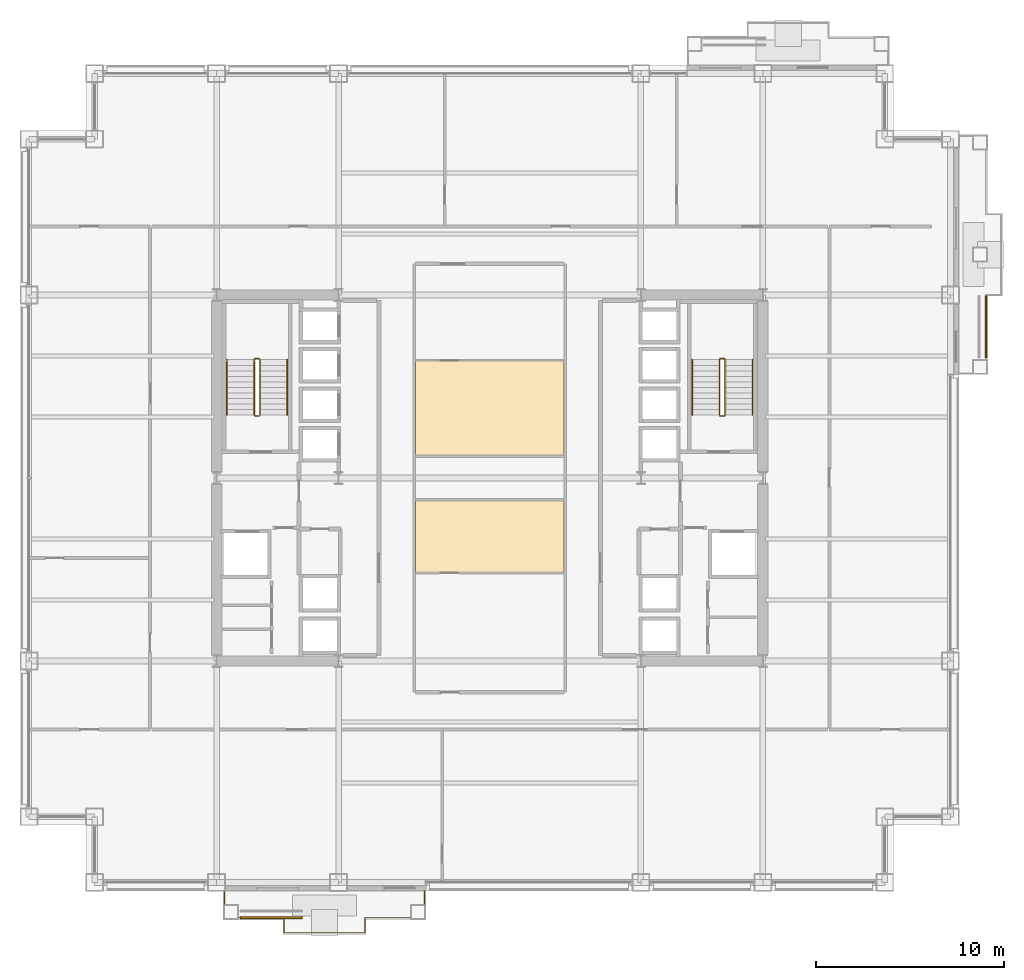
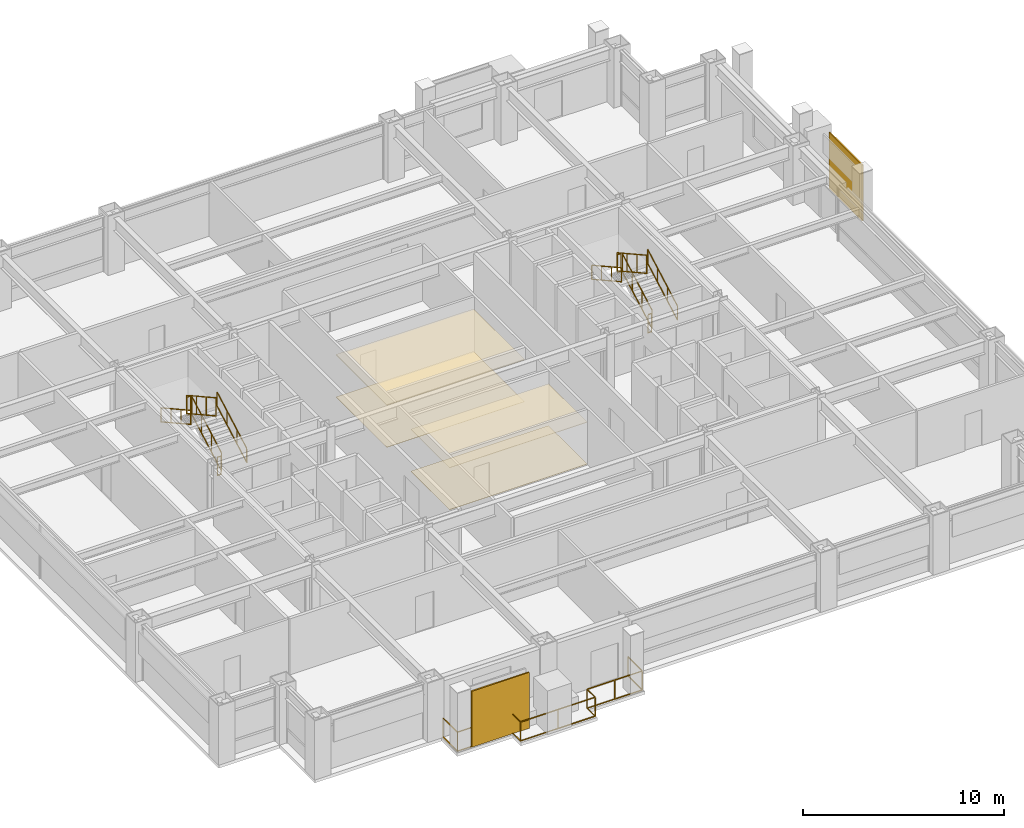
# One storey, part 29 of 31: 13 railings, 4 coverings, 2 shading devices.
"""IFC4 building model written with IfcOpenShell, lengths in metres."""

from ifc_helpers import new_model, si_unit, direction, frame, origin, origin_2d, place, context, subcontext, project, spatial, polyline, rectangle, outline, extrude, material, layer, layer_set, type_object, element, save


model = new_model("IFC4")

# Units and contexts
model_context = context("Model", 3, precision=1e-05, world=origin(), true_north=direction((0.0, 1.0)))
body_context = subcontext(model_context, "Body", "Model", "MODEL_VIEW")
ifc_project = project(units=[si_unit("LENGTHUNIT", "METRE"), si_unit("AREAUNIT", "SQUARE_METRE"), si_unit("VOLUMEUNIT", "CUBIC_METRE"), si_unit("PLANEANGLEUNIT", "RADIAN"), si_unit("MASSUNIT", "GRAM", prefix="KILO")], contexts=[model_context])

# Site, building, storey
site_placement = place(None, origin())
site = spatial("IfcSite", under=ifc_project, at=site_placement, CompositionType="ELEMENT")
building_placement = place(site_placement, origin())
building = spatial("IfcBuilding", under=site, at=building_placement, Name="Brelmoor Portico Tower", CompositionType="ELEMENT")
storey_placement = place(building_placement, frame((0.0, 0.0, 42.0)))
storey = spatial("IfcBuildingStorey", under=building, at=storey_placement, Name="L10", CompositionType="ELEMENT", Elevation=42.0)

# Coverings
ifc_material_1 = material(Name="Perforated Mineral-Fibre Acoustic Ceiling Tile", Category="gypsum")
ifc_layer_1 = layer(ifc_material_1, 0.02490234375)
ifc_layer_set_1 = layer_set([ifc_layer_1], Name="Perforated Mineral-Fibre Acoustic Ceiling Tile")
covering_type_1 = type_object("IfcCoveringType", Name="CV-CEIL-GYPSUM-25", PredefinedType="CEILING", material=ifc_layer_set_1)
covering_1_placement = place(storey_placement, frame((0.0, 0.0, 2.550048828125)))
element("IfcCovering", 1, at=covering_1_placement, inside=storey, type_object=covering_type_1, Name="L10 Acoustic Suspended Ceiling 02", PredefinedType="CEILING", context=body_context, shape_type="SweptSolid", body=[
    extrude(outline(polyline([(-3.9599609375, -5.06005859375), (-3.9599609375, -1.199951171875), (3.9599609375, -1.199951171875), (3.9599609375, -5.06005859375), (-3.9599609375, -5.06005859375)])), origin(), (0.0, 0.0, 1.0), 0.02490234375),
])
ifc_material_2 = material(Name="Slatted FSC Oak Acoustic Feature Ceiling", Category="timber")
ifc_layer_2 = layer(ifc_material_2, 0.052001953125)
ifc_layer_set_2 = layer_set([ifc_layer_2], Name="Slatted FSC Oak Acoustic Feature Ceiling")
covering_type_2 = type_object("IfcCoveringType", Name="CV-CEIL-TIMBER-52", PredefinedType="CEILING", material=ifc_layer_set_2)
covering_2_placement = place(storey_placement, frame((0.0, 0.0, 2.550048828125)))
element("IfcCovering", 2, at=covering_2_placement, inside=storey, type_object=covering_type_2, Name="L10 Acoustic Suspended Ceiling 01", PredefinedType="CEILING", context=body_context, shape_type="SweptSolid", body=[
    extrude(outline(polyline([(-3.9599609375, 1.199951171875), (-3.9599609375, 6.260009765625), (3.9599609375, 6.260009765625), (3.9599609375, 1.199951171875), (-3.9599609375, 1.199951171875)])), origin(), (0.0, 0.0, 1.0), 0.052001953125),
])
ifc_material_3 = material(Name="Rectified Vitrified Porcelain Floor Tile", Category="ceramic")
ifc_layer_3 = layer(ifc_material_3, 0.01806640625)
ifc_layer_set_3 = layer_set([ifc_layer_3], Name="Rectified Vitrified Porcelain Floor Tile")
covering_type_3 = type_object("IfcCoveringType", Name="CV-FLR-PORCELAIN-18", PredefinedType="FLOORING", material=ifc_layer_set_3)
covering_3_placement = place(storey_placement, origin())
element("IfcCovering", 3, at=covering_3_placement, inside=storey, type_object=covering_type_3, Name="L10 Architectural Floor Finish 01", PredefinedType="FLOORING", context=body_context, shape_type="SweptSolid", body=[
    extrude(outline(polyline([(-3.9599609375, 1.199951171875), (-3.9599609375, 6.260009765625), (3.9599609375, 6.260009765625), (3.9599609375, 1.199951171875), (-3.9599609375, 1.199951171875)])), origin(), (0.0, 0.0, 1.0), 0.01806640625),
])
ifc_material_4 = material(Name="Engineered Quarter-Sawn Oak Parquet Flooring", Category="timber")
ifc_layer_4 = layer(ifc_material_4, 0.02197265625)
ifc_layer_set_4 = layer_set([ifc_layer_4], Name="Engineered Quarter-Sawn Oak Parquet Flooring")
covering_type_4 = type_object("IfcCoveringType", Name="CV-FLR-TIMBER-22", PredefinedType="FLOORING", material=ifc_layer_set_4)
covering_4_placement = place(storey_placement, origin())
element("IfcCovering", 4, at=covering_4_placement, inside=storey, type_object=covering_type_4, Name="L10 Architectural Floor Finish 02", PredefinedType="FLOORING", context=body_context, shape_type="SweptSolid", body=[
    extrude(outline(polyline([(-3.9599609375, -5.06005859375), (-3.9599609375, -1.199951171875), (3.9599609375, -1.199951171875), (3.9599609375, -5.06005859375), (-3.9599609375, -5.06005859375)])), origin(), (0.0, 0.0, 1.0), 0.02197265625),
])

# Railings
ifc_material_5 = material(Name="Perforated Pale Champagne Aluminium Fretwork Guard", Category="aluminium")
railing_type_1 = type_object("IfcRailingType", Name="RL-BALUSTRADE-1200", PredefinedType="BALUSTRADE", material=ifc_material_5)
railing_1_placement = place(storey_placement, frame((-14.1201171875, -22.0, 0.0)))
element("IfcRailing", 5, at=railing_1_placement, inside=storey, type_object=railing_type_1, Name="L10 Tree Balcony Fretwork Balustrade S", PredefinedType="BALUSTRADE", context=body_context, shape_type="SweptSolid", body=[
    extrude(rectangle(XDim=0.048095703125, YDim=0.048095703125, at=origin_2d()), frame((0.0, 0.0, 1.17578125), z_axis=(0.0, -1.0, 0.0), x_axis=(1.0, 0.0, 0.0)), (0.0, 0.0, 1.0), 1.429931640625),
    extrude(rectangle(XDim=0.048095703125, YDim=0.048095703125, at=origin_2d()), frame((0.0, 0.0, 0.02392578125), z_axis=(0.0, -1.0, 0.0), x_axis=(1.0, 0.0, 0.0)), (0.0, 0.0, 1.0), 1.429931640625),
    extrude(rectangle(XDim=0.048095703125, YDim=0.048095703125, at=origin_2d()), frame((0.0, -1.429931640625, 1.17578125), z_axis=(1.0, 0.0, 0.0), x_axis=(0.0, 1.0, 0.0)), (0.0, 0.0, 1.0), 3.170166015625),
    extrude(rectangle(XDim=0.048095703125, YDim=0.048095703125, at=origin_2d()), frame((0.0, -1.429931640625, 0.02392578125), z_axis=(1.0, 0.0, 0.0), x_axis=(0.0, 1.0, 0.0)), (0.0, 0.0, 1.0), 3.170166015625),
    extrude(rectangle(XDim=0.048095703125, YDim=0.048095703125, at=origin_2d()), frame((3.170166015625, -1.429931640625, 1.17578125), z_axis=(0.0, -1.0, 0.0), x_axis=(1.0, 0.0, 0.0)), (0.0, 0.0, 1.0), 0.800048828125),
    extrude(rectangle(XDim=0.048095703125, YDim=0.048095703125, at=origin_2d()), frame((3.170166015625, -1.429931640625, 0.02392578125), z_axis=(0.0, -1.0, 0.0), x_axis=(1.0, 0.0, 0.0)), (0.0, 0.0, 1.0), 0.800048828125),
    extrude(rectangle(XDim=0.048095703125, YDim=0.048095703125, at=origin_2d()), frame((3.170166015625, -2.22998046875, 1.17578125), z_axis=(1.0, 0.0, 0.0), x_axis=(0.0, 1.0, 0.0)), (0.0, 0.0, 1.0), 4.300048828125),
    extrude(rectangle(XDim=0.048095703125, YDim=0.048095703125, at=origin_2d()), frame((3.170166015625, -2.22998046875, 0.02392578125), z_axis=(1.0, 0.0, 0.0), x_axis=(0.0, 1.0, 0.0)), (0.0, 0.0, 1.0), 4.300048828125),
    extrude(rectangle(XDim=0.048095703125, YDim=0.048095703125, at=origin_2d()), frame((7.47021484375, -2.22998046875, 1.17578125), z_axis=(0.0, 1.0, 0.0), x_axis=(-1.0, 0.0, 0.0)), (0.0, 0.0, 1.0), 0.800048828125),
    extrude(rectangle(XDim=0.048095703125, YDim=0.048095703125, at=origin_2d()), frame((7.47021484375, -2.22998046875, 0.02392578125), z_axis=(0.0, 1.0, 0.0), x_axis=(-1.0, 0.0, 0.0)), (0.0, 0.0, 1.0), 0.800048828125),
    extrude(rectangle(XDim=0.048095703125, YDim=0.048095703125, at=origin_2d()), frame((7.47021484375, -1.429931640625, 1.17578125), z_axis=(1.0, 0.0, 0.0), x_axis=(0.0, 1.0, 0.0)), (0.0, 0.0, 1.0), 3.169921875),
    extrude(rectangle(XDim=0.048095703125, YDim=0.048095703125, at=origin_2d()), frame((7.47021484375, -1.429931640625, 0.02392578125), z_axis=(1.0, 0.0, 0.0), x_axis=(0.0, 1.0, 0.0)), (0.0, 0.0, 1.0), 3.169921875),
    extrude(rectangle(XDim=0.048095703125, YDim=0.048095703125, at=origin_2d()), frame((10.64013671875, -1.429931640625, 1.17578125), z_axis=(0.0, 1.0, 0.0), x_axis=(-1.0, 0.0, 0.0)), (0.0, 0.0, 1.0), 1.429931640625),
    extrude(rectangle(XDim=0.048095703125, YDim=0.048095703125, at=origin_2d()), frame((10.64013671875, -1.429931640625, 0.02392578125), z_axis=(0.0, 1.0, 0.0), x_axis=(-1.0, 0.0, 0.0)), (0.0, 0.0, 1.0), 1.429931640625),
    extrude(rectangle(XDim=0.0419921875, YDim=0.0419921875, at=origin_2d()), origin(), (0.0, 0.0, 1.0), 1.15185546875),
    extrude(rectangle(XDim=0.0419921875, YDim=0.0419921875, at=origin_2d()), frame((0.0, -1.429931640625, 0.0)), (0.0, 0.0, 1.0), 1.15185546875),
    extrude(rectangle(XDim=0.0419921875, YDim=0.0419921875, at=origin_2d()), frame((1.5849609375, -1.429931640625, 0.0)), (0.0, 0.0, 1.0), 1.15185546875),
    extrude(rectangle(XDim=0.0419921875, YDim=0.0419921875, at=origin_2d()), frame((3.170166015625, -1.429931640625, 0.0)), (0.0, 0.0, 1.0), 1.15185546875),
    extrude(rectangle(XDim=0.0419921875, YDim=0.0419921875, at=origin_2d()), frame((3.170166015625, -2.22998046875, 0.0)), (0.0, 0.0, 1.0), 1.15185546875),
    extrude(rectangle(XDim=0.0419921875, YDim=0.0419921875, at=origin_2d()), frame((5.3203125, -2.22998046875, 0.0)), (0.0, 0.0, 1.0), 1.15185546875),
    extrude(rectangle(XDim=0.0419921875, YDim=0.0419921875, at=origin_2d()), frame((7.47021484375, -2.22998046875, 0.0)), (0.0, 0.0, 1.0), 1.15185546875),
    extrude(rectangle(XDim=0.0419921875, YDim=0.0419921875, at=origin_2d()), frame((7.47021484375, -1.429931640625, 0.0)), (0.0, 0.0, 1.0), 1.15185546875),
    extrude(rectangle(XDim=0.0419921875, YDim=0.0419921875, at=origin_2d()), frame((9.05517578125, -1.429931640625, 0.0)), (0.0, 0.0, 1.0), 1.15185546875),
    extrude(rectangle(XDim=0.0419921875, YDim=0.0419921875, at=origin_2d()), frame((10.64013671875, -1.429931640625, 0.0)), (0.0, 0.0, 1.0), 1.15185546875),
    extrude(rectangle(XDim=0.0419921875, YDim=0.0419921875, at=origin_2d()), frame((10.64013671875, 0.0, 0.0)), (0.0, 0.0, 1.0), 1.15185546875),
])
ifc_material_6 = material(Name="Painted Tubular Steel Q235B", Category="steel")
railing_type_2 = type_object("IfcRailingType", Name="RL-STAIR-GUARD", PredefinedType="GUARDRAIL", material=ifc_material_6)
railing_2_placement = place(storey_placement, frame((-12.239990234375, 3.35009765625, 0.16357421875)))
element("IfcRailing", 6, at=railing_2_placement, inside=storey, type_object=railing_type_2, Name="L10 ST-W stair guard 1", PredefinedType="GUARDRAIL", context=body_context, shape_type="SweptSolid", body=[
    extrude(rectangle(XDim=0.048095703125, YDim=0.048095703125, at=origin_2d()), frame((0.0, 0.0, 1.1259765625), z_axis=(0.0, 0.874457516365, 0.485102104791), x_axis=(-1.0, 0.0, 0.0)), (0.0, 0.0, 1.0), 3.37353515625),
    extrude(rectangle(XDim=0.048095703125, YDim=0.048095703125, at=origin_2d()), frame((0.0, 0.0, 0.02392578125), z_axis=(0.0, 0.874457516365, 0.485102104791), x_axis=(-1.0, 0.0, 0.0)), (0.0, 0.0, 1.0), 3.37353515625),
    extrude(rectangle(XDim=0.0419921875, YDim=0.0419921875, at=origin_2d()), origin(), (0.0, 0.0, 1.0), 1.101806640625),
    extrude(rectangle(XDim=0.0419921875, YDim=0.0419921875, at=origin_2d()), frame((0.0, 0.9833984375, 0.54541015625)), (0.0, 0.0, 1.0), 1.101806640625),
    extrude(rectangle(XDim=0.0419921875, YDim=0.0419921875, at=origin_2d()), frame((0.0, 1.966552734375, 1.091064453125)), (0.0, 0.0, 1.0), 1.101806640625),
    extrude(rectangle(XDim=0.0419921875, YDim=0.0419921875, at=origin_2d()), frame((0.0, 2.949951171875, 1.636474609375)), (0.0, 0.0, 1.0), 1.101806640625),
])
railing_3_placement = place(storey_placement, frame((-12.2900390625, 6.35009765625, 1.800048828125)))
element("IfcRailing", 7, at=railing_3_placement, inside=storey, type_object=railing_type_2, Name="L10 ST-W stair guard 2", PredefinedType="GUARDRAIL", context=body_context, shape_type="SweptSolid", body=[
    extrude(rectangle(XDim=0.048095703125, YDim=0.048095703125, at=origin_2d()), frame((0.0, 0.0, 1.1259765625), z_axis=(-1.0, 0.0, 0.0), x_axis=(0.0, -1.0, 0.0)), (0.0, 0.0, 1.0), 0.199951171875),
    extrude(rectangle(XDim=0.048095703125, YDim=0.048095703125, at=origin_2d()), frame((0.0, 0.0, 0.02392578125), z_axis=(-1.0, 0.0, 0.0), x_axis=(0.0, -1.0, 0.0)), (0.0, 0.0, 1.0), 0.199951171875),
    extrude(rectangle(XDim=0.0419921875, YDim=0.0419921875, at=origin_2d()), origin(), (0.0, 0.0, 1.0), 1.101806640625),
    extrude(rectangle(XDim=0.0419921875, YDim=0.0419921875, at=origin_2d()), frame((-0.199951171875, 0.0, 0.0)), (0.0, 0.0, 1.0), 1.101806640625),
])
railing_4_placement = place(storey_placement, frame((-12.5400390625, 6.300048828125, 1.963623046875)))
element("IfcRailing", 8, at=railing_4_placement, inside=storey, type_object=railing_type_2, Name="L10 ST-W stair guard 3", PredefinedType="GUARDRAIL", context=body_context, shape_type="SweptSolid", body=[
    extrude(rectangle(XDim=0.048095703125, YDim=0.048095703125, at=origin_2d()), frame((0.0, 0.0, 1.1259765625), z_axis=(0.0, -0.874457516365, 0.485102104791), x_axis=(1.0, 0.0, 0.0)), (0.0, 0.0, 1.0), 3.37353515625),
    extrude(rectangle(XDim=0.048095703125, YDim=0.048095703125, at=origin_2d()), frame((0.0, 0.0, 0.02392578125), z_axis=(0.0, -0.874457516365, 0.485102104791), x_axis=(1.0, 0.0, 0.0)), (0.0, 0.0, 1.0), 3.37353515625),
    extrude(rectangle(XDim=0.0419921875, YDim=0.0419921875, at=origin_2d()), origin(), (0.0, 0.0, 1.0), 1.101806640625),
    extrude(rectangle(XDim=0.0419921875, YDim=0.0419921875, at=origin_2d()), frame((0.0, -0.9833984375, 0.54541015625)), (0.0, 0.0, 1.0), 1.101806640625),
    extrude(rectangle(XDim=0.0419921875, YDim=0.0419921875, at=origin_2d()), frame((0.0, -1.966552734375, 1.091064453125)), (0.0, 0.0, 1.0), 1.101806640625),
    extrude(rectangle(XDim=0.0419921875, YDim=0.0419921875, at=origin_2d()), frame((0.0, -2.949951171875, 1.636474609375)), (0.0, 0.0, 1.0), 1.101806640625),
])
railing_5_placement = place(storey_placement, frame((-12.2900390625, 3.300048828125, 0.0)))
element("IfcRailing", 9, at=railing_5_placement, inside=storey, type_object=railing_type_2, Name="L10 ST-W stair guard 4", PredefinedType="GUARDRAIL", context=body_context, shape_type="SweptSolid", body=[
    extrude(rectangle(XDim=0.048095703125, YDim=0.048095703125, at=origin_2d()), frame((0.0, 0.0, 1.1259765625), z_axis=(-1.0, 0.0, 0.0), x_axis=(0.0, -1.0, 0.0)), (0.0, 0.0, 1.0), 0.199951171875),
    extrude(rectangle(XDim=0.048095703125, YDim=0.048095703125, at=origin_2d()), frame((0.0, 0.0, 0.02392578125), z_axis=(-1.0, 0.0, 0.0), x_axis=(0.0, -1.0, 0.0)), (0.0, 0.0, 1.0), 0.199951171875),
    extrude(rectangle(XDim=0.0419921875, YDim=0.0419921875, at=origin_2d()), origin(), (0.0, 0.0, 1.0), 1.101806640625),
    extrude(rectangle(XDim=0.0419921875, YDim=0.0419921875, at=origin_2d()), frame((-0.199951171875, 0.0, 0.0)), (0.0, 0.0, 1.0), 1.101806640625),
])
railing_6_placement = place(storey_placement, frame((12.5400390625, 3.35009765625, 0.16357421875)))
element("IfcRailing", 10, at=railing_6_placement, inside=storey, type_object=railing_type_2, Name="L10 ST-E stair guard 1", PredefinedType="GUARDRAIL", context=body_context, shape_type="SweptSolid", body=[
    extrude(rectangle(XDim=0.048095703125, YDim=0.048095703125, at=origin_2d()), frame((0.0, 0.0, 1.1259765625), z_axis=(0.0, 0.874457516365, 0.485102104791), x_axis=(-1.0, 0.0, 0.0)), (0.0, 0.0, 1.0), 3.37353515625),
    extrude(rectangle(XDim=0.048095703125, YDim=0.048095703125, at=origin_2d()), frame((0.0, 0.0, 0.02392578125), z_axis=(0.0, 0.874457516365, 0.485102104791), x_axis=(-1.0, 0.0, 0.0)), (0.0, 0.0, 1.0), 3.37353515625),
    extrude(rectangle(XDim=0.0419921875, YDim=0.0419921875, at=origin_2d()), origin(), (0.0, 0.0, 1.0), 1.101806640625),
    extrude(rectangle(XDim=0.0419921875, YDim=0.0419921875, at=origin_2d()), frame((0.0, 0.9833984375, 0.54541015625)), (0.0, 0.0, 1.0), 1.101806640625),
    extrude(rectangle(XDim=0.0419921875, YDim=0.0419921875, at=origin_2d()), frame((0.0, 1.966552734375, 1.091064453125)), (0.0, 0.0, 1.0), 1.101806640625),
    extrude(rectangle(XDim=0.0419921875, YDim=0.0419921875, at=origin_2d()), frame((0.0, 2.949951171875, 1.636474609375)), (0.0, 0.0, 1.0), 1.101806640625),
])
railing_7_placement = place(storey_placement, frame((12.489990234375, 6.35009765625, 1.800048828125)))
element("IfcRailing", 11, at=railing_7_placement, inside=storey, type_object=railing_type_2, Name="L10 ST-E stair guard 2", PredefinedType="GUARDRAIL", context=body_context, shape_type="SweptSolid", body=[
    extrude(rectangle(XDim=0.048095703125, YDim=0.048095703125, at=origin_2d()), frame((0.0, 0.0, 1.1259765625), z_axis=(-1.0, 0.0, 0.0), x_axis=(0.0, -1.0, 0.0)), (0.0, 0.0, 1.0), 0.199951171875),
    extrude(rectangle(XDim=0.048095703125, YDim=0.048095703125, at=origin_2d()), frame((0.0, 0.0, 0.02392578125), z_axis=(-1.0, 0.0, 0.0), x_axis=(0.0, -1.0, 0.0)), (0.0, 0.0, 1.0), 0.199951171875),
    extrude(rectangle(XDim=0.0419921875, YDim=0.0419921875, at=origin_2d()), origin(), (0.0, 0.0, 1.0), 1.101806640625),
    extrude(rectangle(XDim=0.0419921875, YDim=0.0419921875, at=origin_2d()), frame((-0.199951171875, 0.0, 0.0)), (0.0, 0.0, 1.0), 1.101806640625),
])
railing_8_placement = place(storey_placement, frame((12.239990234375, 6.300048828125, 1.963623046875)))
element("IfcRailing", 12, at=railing_8_placement, inside=storey, type_object=railing_type_2, Name="L10 ST-E stair guard 3", PredefinedType="GUARDRAIL", context=body_context, shape_type="SweptSolid", body=[
    extrude(rectangle(XDim=0.048095703125, YDim=0.048095703125, at=origin_2d()), frame((0.0, 0.0, 1.1259765625), z_axis=(0.0, -0.874457516365, 0.485102104791), x_axis=(1.0, 0.0, 0.0)), (0.0, 0.0, 1.0), 3.37353515625),
    extrude(rectangle(XDim=0.048095703125, YDim=0.048095703125, at=origin_2d()), frame((0.0, 0.0, 0.02392578125), z_axis=(0.0, -0.874457516365, 0.485102104791), x_axis=(1.0, 0.0, 0.0)), (0.0, 0.0, 1.0), 3.37353515625),
    extrude(rectangle(XDim=0.0419921875, YDim=0.0419921875, at=origin_2d()), origin(), (0.0, 0.0, 1.0), 1.101806640625),
    extrude(rectangle(XDim=0.0419921875, YDim=0.0419921875, at=origin_2d()), frame((0.0, -0.9833984375, 0.54541015625)), (0.0, 0.0, 1.0), 1.101806640625),
    extrude(rectangle(XDim=0.0419921875, YDim=0.0419921875, at=origin_2d()), frame((0.0, -1.966552734375, 1.091064453125)), (0.0, 0.0, 1.0), 1.101806640625),
    extrude(rectangle(XDim=0.0419921875, YDim=0.0419921875, at=origin_2d()), frame((0.0, -2.949951171875, 1.636474609375)), (0.0, 0.0, 1.0), 1.101806640625),
])
railing_9_placement = place(storey_placement, frame((12.489990234375, 3.300048828125, 0.0)))
element("IfcRailing", 13, at=railing_9_placement, inside=storey, type_object=railing_type_2, Name="L10 ST-E stair guard 4", PredefinedType="GUARDRAIL", context=body_context, shape_type="SweptSolid", body=[
    extrude(rectangle(XDim=0.048095703125, YDim=0.048095703125, at=origin_2d()), frame((0.0, 0.0, 1.1259765625), z_axis=(-1.0, 0.0, 0.0), x_axis=(0.0, -1.0, 0.0)), (0.0, 0.0, 1.0), 0.199951171875),
    extrude(rectangle(XDim=0.048095703125, YDim=0.048095703125, at=origin_2d()), frame((0.0, 0.0, 0.02392578125), z_axis=(-1.0, 0.0, 0.0), x_axis=(0.0, -1.0, 0.0)), (0.0, 0.0, 1.0), 0.199951171875),
    extrude(rectangle(XDim=0.0419921875, YDim=0.0419921875, at=origin_2d()), origin(), (0.0, 0.0, 1.0), 1.101806640625),
    extrude(rectangle(XDim=0.0419921875, YDim=0.0419921875, at=origin_2d()), frame((-0.199951171875, 0.0, 0.0)), (0.0, 0.0, 1.0), 1.101806640625),
])
ifc_material_7 = material(Name="Brushed Stainless Steel 304", Category="steel")
railing_type_3 = type_object("IfcRailingType", Name="RL-STAIR-HANDRAIL", PredefinedType="HANDRAIL", material=ifc_material_7)
railing_10_placement = place(storey_placement, frame((-10.780029296875, 3.35009765625, 0.16357421875)))
element("IfcRailing", 14, at=railing_10_placement, inside=storey, type_object=railing_type_3, Name="L10 ST-W stair handrail 1", PredefinedType="HANDRAIL", context=body_context, shape_type="SweptSolid", body=[
    extrude(rectangle(XDim=0.048095703125, YDim=0.048095703125, at=origin_2d()), frame((0.0, 0.0, 0.8759765625), z_axis=(0.0, 0.874457516365, 0.485102104791), x_axis=(-1.0, 0.0, 0.0)), (0.0, 0.0, 1.0), 3.37353515625),
    extrude(rectangle(XDim=0.048095703125, YDim=0.048095703125, at=origin_2d()), frame((0.0, 0.0, 0.02392578125), z_axis=(0.0, 0.874457516365, 0.485102104791), x_axis=(-1.0, 0.0, 0.0)), (0.0, 0.0, 1.0), 3.37353515625),
    extrude(rectangle(XDim=0.0419921875, YDim=0.0419921875, at=origin_2d()), origin(), (0.0, 0.0, 1.0), 0.851806640625),
    extrude(rectangle(XDim=0.0419921875, YDim=0.0419921875, at=origin_2d()), frame((0.0, 0.9833984375, 0.54541015625)), (0.0, 0.0, 1.0), 0.851806640625),
    extrude(rectangle(XDim=0.0419921875, YDim=0.0419921875, at=origin_2d()), frame((0.0, 1.966552734375, 1.091064453125)), (0.0, 0.0, 1.0), 0.851806640625),
    extrude(rectangle(XDim=0.0419921875, YDim=0.0419921875, at=origin_2d()), frame((0.0, 2.949951171875, 1.636474609375)), (0.0, 0.0, 1.0), 0.851806640625),
])
railing_11_placement = place(storey_placement, frame((-14.0, 6.300048828125, 1.963623046875)))
element("IfcRailing", 15, at=railing_11_placement, inside=storey, type_object=railing_type_3, Name="L10 ST-W stair handrail 2", PredefinedType="HANDRAIL", context=body_context, shape_type="SweptSolid", body=[
    extrude(rectangle(XDim=0.048095703125, YDim=0.048095703125, at=origin_2d()), frame((0.0, 0.0, 0.8759765625), z_axis=(0.0, -0.874457516365, 0.485102104791), x_axis=(1.0, 0.0, 0.0)), (0.0, 0.0, 1.0), 3.37353515625),
    extrude(rectangle(XDim=0.048095703125, YDim=0.048095703125, at=origin_2d()), frame((0.0, 0.0, 0.02392578125), z_axis=(0.0, -0.874457516365, 0.485102104791), x_axis=(1.0, 0.0, 0.0)), (0.0, 0.0, 1.0), 3.37353515625),
    extrude(rectangle(XDim=0.0419921875, YDim=0.0419921875, at=origin_2d()), origin(), (0.0, 0.0, 1.0), 0.851806640625),
    extrude(rectangle(XDim=0.0419921875, YDim=0.0419921875, at=origin_2d()), frame((0.0, -0.9833984375, 0.54541015625)), (0.0, 0.0, 1.0), 0.851806640625),
    extrude(rectangle(XDim=0.0419921875, YDim=0.0419921875, at=origin_2d()), frame((0.0, -1.966552734375, 1.091064453125)), (0.0, 0.0, 1.0), 0.851806640625),
    extrude(rectangle(XDim=0.0419921875, YDim=0.0419921875, at=origin_2d()), frame((0.0, -2.949951171875, 1.636474609375)), (0.0, 0.0, 1.0), 0.851806640625),
])
railing_12_placement = place(storey_placement, frame((14.0, 3.35009765625, 0.16357421875)))
element("IfcRailing", 16, at=railing_12_placement, inside=storey, type_object=railing_type_3, Name="L10 ST-E stair handrail 1", PredefinedType="HANDRAIL", context=body_context, shape_type="SweptSolid", body=[
    extrude(rectangle(XDim=0.048095703125, YDim=0.048095703125, at=origin_2d()), frame((0.0, 0.0, 0.8759765625), z_axis=(0.0, 0.874457516365, 0.485102104791), x_axis=(-1.0, 0.0, 0.0)), (0.0, 0.0, 1.0), 3.37353515625),
    extrude(rectangle(XDim=0.048095703125, YDim=0.048095703125, at=origin_2d()), frame((0.0, 0.0, 0.02392578125), z_axis=(0.0, 0.874457516365, 0.485102104791), x_axis=(-1.0, 0.0, 0.0)), (0.0, 0.0, 1.0), 3.37353515625),
    extrude(rectangle(XDim=0.0419921875, YDim=0.0419921875, at=origin_2d()), origin(), (0.0, 0.0, 1.0), 0.851806640625),
    extrude(rectangle(XDim=0.0419921875, YDim=0.0419921875, at=origin_2d()), frame((0.0, 0.9833984375, 0.54541015625)), (0.0, 0.0, 1.0), 0.851806640625),
    extrude(rectangle(XDim=0.0419921875, YDim=0.0419921875, at=origin_2d()), frame((0.0, 1.966552734375, 1.091064453125)), (0.0, 0.0, 1.0), 0.851806640625),
    extrude(rectangle(XDim=0.0419921875, YDim=0.0419921875, at=origin_2d()), frame((0.0, 2.949951171875, 1.636474609375)), (0.0, 0.0, 1.0), 0.851806640625),
])
railing_13_placement = place(storey_placement, frame((10.780029296875, 6.300048828125, 1.963623046875)))
element("IfcRailing", 17, at=railing_13_placement, inside=storey, type_object=railing_type_3, Name="L10 ST-E stair handrail 2", PredefinedType="HANDRAIL", context=body_context, shape_type="SweptSolid", body=[
    extrude(rectangle(XDim=0.048095703125, YDim=0.048095703125, at=origin_2d()), frame((0.0, 0.0, 0.8759765625), z_axis=(0.0, -0.874457516365, 0.485102104791), x_axis=(1.0, 0.0, 0.0)), (0.0, 0.0, 1.0), 3.37353515625),
    extrude(rectangle(XDim=0.048095703125, YDim=0.048095703125, at=origin_2d()), frame((0.0, 0.0, 0.02392578125), z_axis=(0.0, -0.874457516365, 0.485102104791), x_axis=(1.0, 0.0, 0.0)), (0.0, 0.0, 1.0), 3.37353515625),
    extrude(rectangle(XDim=0.0419921875, YDim=0.0419921875, at=origin_2d()), origin(), (0.0, 0.0, 1.0), 0.851806640625),
    extrude(rectangle(XDim=0.0419921875, YDim=0.0419921875, at=origin_2d()), frame((0.0, -0.9833984375, 0.54541015625)), (0.0, 0.0, 1.0), 0.851806640625),
    extrude(rectangle(XDim=0.0419921875, YDim=0.0419921875, at=origin_2d()), frame((0.0, -1.966552734375, 1.091064453125)), (0.0, 0.0, 1.0), 0.851806640625),
    extrude(rectangle(XDim=0.0419921875, YDim=0.0419921875, at=origin_2d()), frame((0.0, -2.949951171875, 1.636474609375)), (0.0, 0.0, 1.0), 0.851806640625),
])

# Shading devices
ifc_material_8 = material(Name="Powder-Coated Aluminium Shuttered Jalousie", Category="aluminium")
ifc_layer_5 = layer(ifc_material_8, 0.080078125)
ifc_layer_set_5 = layer_set([ifc_layer_5], Name="Powder-Coated Aluminium Shuttered Jalousie")
shading_device_type = type_object("IfcShadingDeviceType", Name="SD-JALOUSIE-LOGGIA", PredefinedType="JALOUSIE", material=ifc_layer_set_5)
for number, where, z_axis, x_axis, name in (
    (18, (-11.64990234375, -23.429931640625, 0.0), (0.0, 0.0, 1.0), (1.0, 0.0, 0.0), "L10 Loggia Shuttered Jalousie S"),
    (19, (26.429931640625, 8.050048828125, 0.0), (0.0, 0.0, 1.0), (0.0, 1.0, 0.0), "L10 Loggia Shuttered Jalousie E"),
):
    element("IfcShadingDevice", number, at=place(storey_placement, frame(where, z_axis=z_axis, x_axis=x_axis)), inside=storey, type_object=shading_device_type, Name=name, PredefinedType="JALOUSIE", context=body_context, shape_type="SweptSolid", body=[
        extrude(rectangle(XDim=3.300048828125, YDim=0.080078125, at=origin_2d()), origin(), (0.0, 0.0, 1.0), 3.39990234375),
    ])

save(model, "model.ifc")
